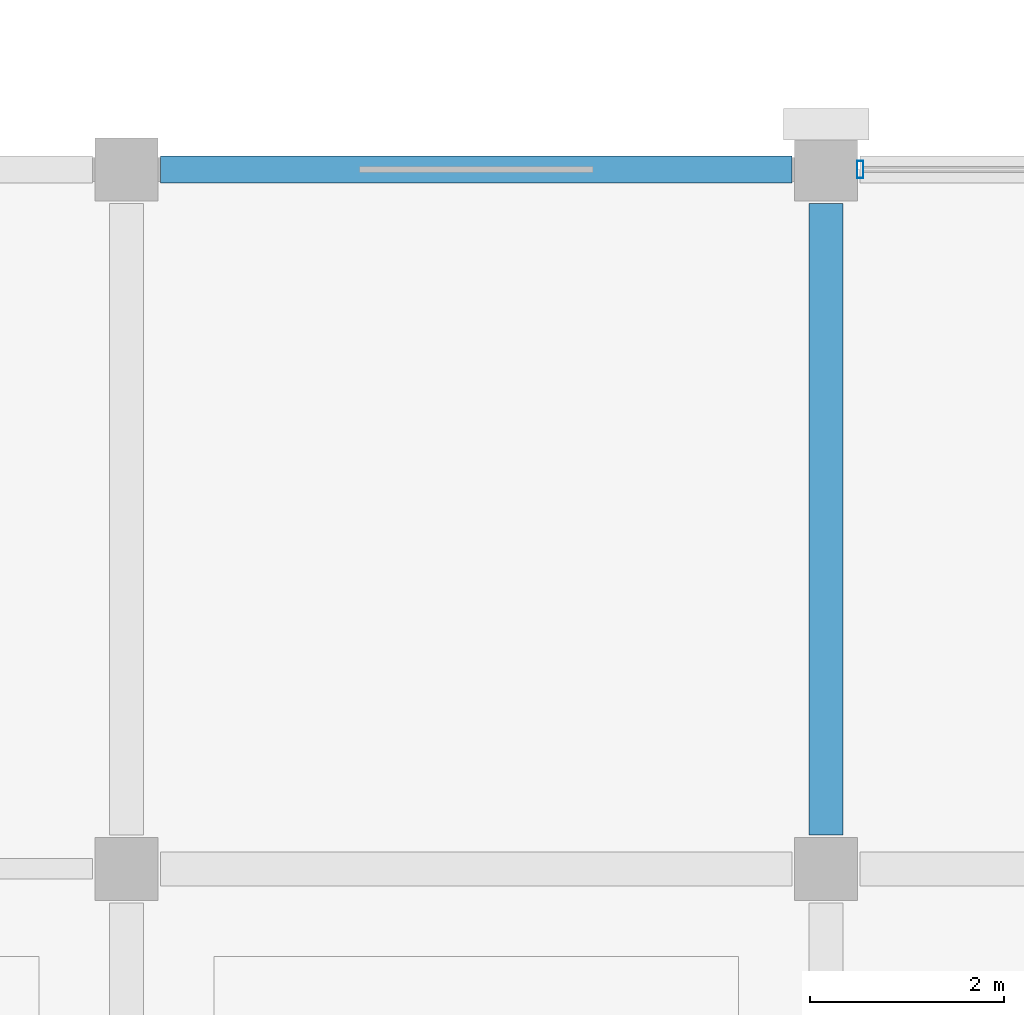
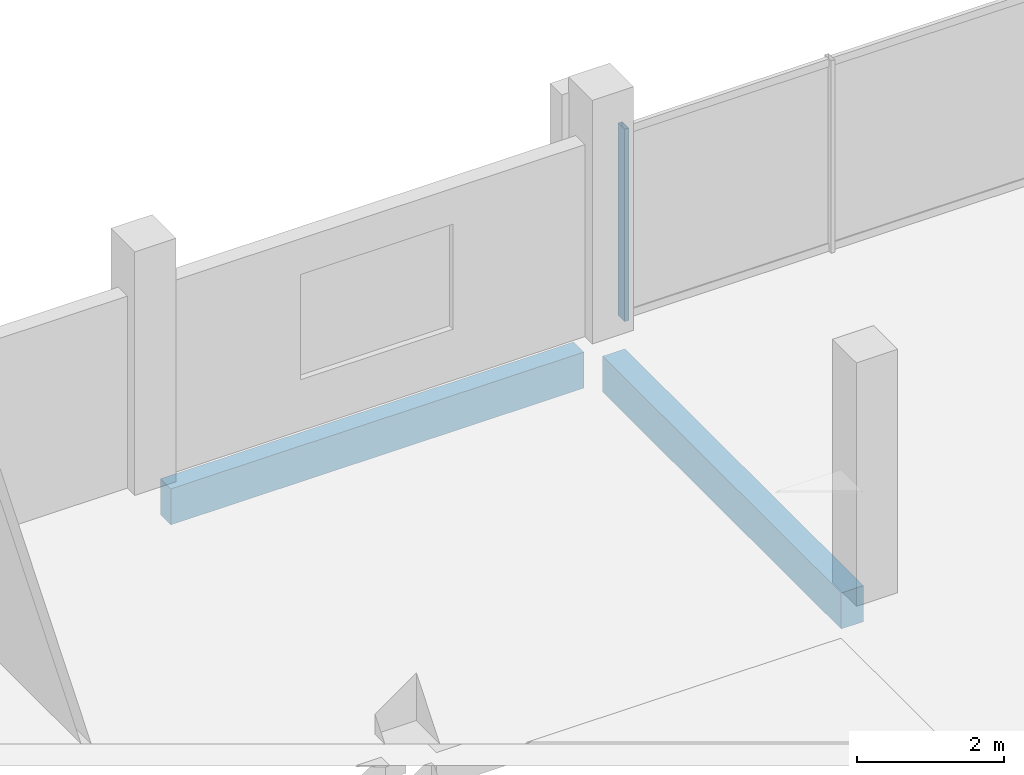
# One storey, part 58 of 91: 2 beams, 1 member, 1 element without a shape of its own.
"""IFC4 building model written with IfcOpenShell, lengths in metres."""

from ifc_helpers import new_model, si_unit, direction, frame, origin, origin_2d, place, context, subcontext, project, spatial, rectangle, hollow_rectangle, extrude, material, layer, layer_set, material_profile, profile_set, type_object, element, aggregate, save


model = new_model("IFC4")

# Units and contexts
model_context = context("Model", 3, precision=1e-05, world=origin(), true_north=direction((0.0, 1.0)))
body_context = subcontext(model_context, "Body", "Model", "MODEL_VIEW")
ifc_project = project(units=[si_unit("LENGTHUNIT", "METRE"), si_unit("AREAUNIT", "SQUARE_METRE"), si_unit("VOLUMEUNIT", "CUBIC_METRE"), si_unit("PLANEANGLEUNIT", "RADIAN"), si_unit("MASSUNIT", "GRAM", prefix="KILO")], contexts=[model_context])

# Site, building, storey
site_placement = place(None, origin())
site = spatial("IfcSite", under=ifc_project, at=site_placement, CompositionType="ELEMENT")
building_placement = place(site_placement, origin())
building = spatial("IfcBuilding", under=site, at=building_placement, Name="Kangsadwip Square Police Headquarters", CompositionType="ELEMENT")
storey_placement = place(building_placement, frame((0.0, 0.0, 13.5)))
storey = spatial("IfcBuildingStorey", under=building, at=storey_placement, Name="L03", CompositionType="ELEMENT", Elevation=13.5)

# Curtain wall, member
ifc_material_1 = material(Name="Thermally broken anodised aluminium AW-6063-T6", Category="aluminium")
ifc_layer = layer(ifc_material_1, 0.159912109375)
ifc_layer_set = layer_set([ifc_layer], Name="Thermally broken anodised aluminium AW-6063-T6")
curtain_wall_type = type_object("IfcCurtainWallType", Name="UnitisedCw6560x3200", PredefinedType="NOTDEFINED", material=ifc_layer_set)
curtain_wall_placement = place(storey_placement, origin())
curtain_wall = element("IfcCurtainWall", 1, at=curtain_wall_placement, inside=storey, type_object=curtain_wall_type, Name="Curtain Wall CW-L03-1587-1152", PredefinedType="NOTDEFINED")
ifc_material_2 = material(Name="Thermally broken anodised aluminium AW-6063-T6", Category="aluminium")
ifc_material_profile_1 = material_profile(ifc_material_2, hollow_rectangle(XDim=0.06494140625, YDim=0.179931640625, WallThickness=0.00390625, at=origin_2d()), Name="CWM 180X65X4")
ifc_profile_set_1 = profile_set([ifc_material_profile_1], Name="Thermally broken anodised aluminium AW-6063-T6")
member_type = type_object("IfcMemberType", Name="CwMullion160x65", PredefinedType="MULLION", material=ifc_profile_set_1)
member_placement = place(storey_placement, frame((158.75244140625, 115.199951171875, 0.0), z_axis=(0.0, 0.0, 1.0), x_axis=(1.0, 0.0, 0.0)))
member = element("IfcMember", 2, at=member_placement, type_object=member_type, Name="CW-20 mullion 1", PredefinedType="MULLION", context=body_context, shape_type="SweptSolid", body=[
    extrude(hollow_rectangle(XDim=0.06494140625, YDim=0.179931640625, WallThickness=0.00390625, at=origin_2d()), origin(), (0.0, 0.0, 1.0), 3.199951171875),
])
aggregate(curtain_wall, [member])

# Beams
ifc_material_3 = material(Name="Concrete M35 (35 MPa)", Category="concrete")
ifc_material_profile_2 = material_profile(ifc_material_3, rectangle(XDim=0.35009765625, YDim=0.60009765625, at=origin_2d()), Name="RC BM 600X350")
ifc_profile_set_2 = profile_set([ifc_material_profile_2], Name="Concrete M35 (35 MPa)")
beam_type_1 = type_object("IfcBeamType", Name="RcBeam600x350", PredefinedType="BEAM", material=ifc_profile_set_2)
beam_1_placement = place(storey_placement, frame((158.39990234375, 108.35009765625, -0.5400390625), z_axis=(0.0, 1.0, 0.0), x_axis=(-1.0, 0.0, 0.0)))
element("IfcBeam", 3, at=beam_1_placement, inside=storey, type_object=beam_type_1, Name="Beam BM-L03-Y-22-15", PredefinedType="BEAM", context=body_context, shape_type="SweptSolid", body=[
    extrude(rectangle(XDim=0.35009765625, YDim=0.60009765625, at=origin_2d()), origin(), (0.0, 0.0, 1.0), 6.5),
])
ifc_material_4 = material(Name="Concrete M40 (40 MPa)", Category="concrete")
ifc_material_profile_3 = material_profile(ifc_material_4, rectangle(XDim=0.280029296875, YDim=0.60009765625, at=origin_2d()), Name="RC SPN 600X280")
ifc_profile_set_3 = profile_set([ifc_material_profile_3], Name="Concrete M40 (40 MPa)")
beam_type_2 = type_object("IfcBeamType", Name="RcSpandrel600x280", PredefinedType="SPANDREL", material=ifc_profile_set_3)
beam_2_placement = place(storey_placement, frame((151.550048828125, 115.199951171875, -0.5400390625), z_axis=(1.0, 0.0, 0.0), x_axis=(0.0, 1.0, 0.0)))
element("IfcBeam", 4, at=beam_2_placement, inside=storey, type_object=beam_type_2, Name="Beam BM-L03-X-21-16", PredefinedType="SPANDREL", context=body_context, shape_type="SweptSolid", body=[
    extrude(rectangle(XDim=0.280029296875, YDim=0.60009765625, at=origin_2d()), origin(), (0.0, 0.0, 1.0), 6.5),
])

save(model, "model.ifc")
